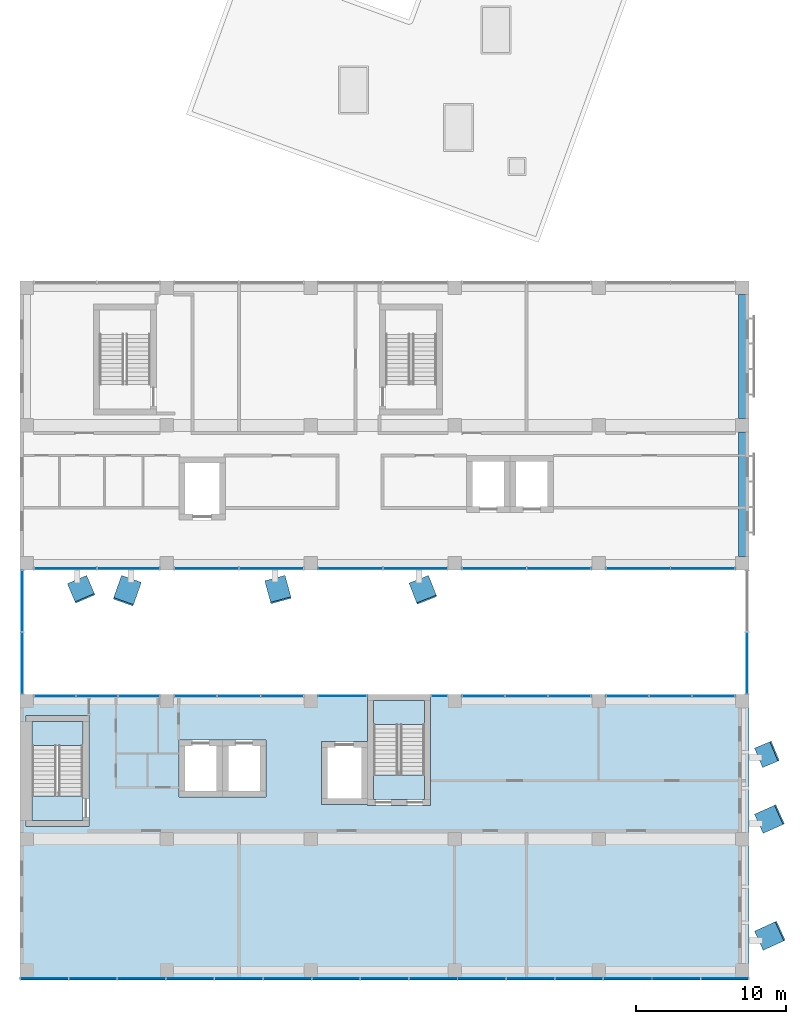
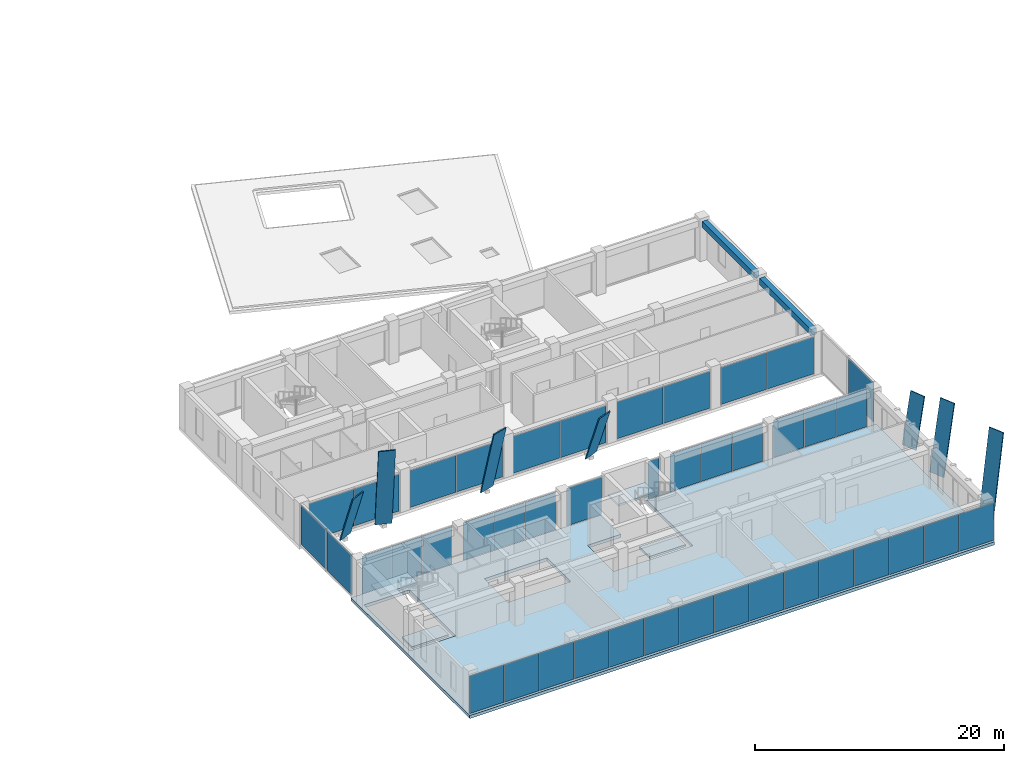
# One storey, part 25 of 36: 49 plates, 5 slabs, 2 beams, 16 elements without a shape of their own.
"""IFC4 building model written with IfcOpenShell, lengths in metres."""

from ifc_helpers import new_model, si_unit, direction, frame, origin, origin_2d, place, context, subcontext, project, spatial, polyline, rectangle, outline, extrude, material, layer, layer_set, material_profile, profile_set, type_object, element, aggregate, save


model = new_model("IFC4")

# Units and contexts
model_context = context("Model", 3, precision=1e-05, world=origin(), true_north=direction((0.0, 1.0)))
body_context = subcontext(model_context, "Body", "Model", "MODEL_VIEW")
ifc_project = project(units=[si_unit("LENGTHUNIT", "METRE"), si_unit("AREAUNIT", "SQUARE_METRE"), si_unit("VOLUMEUNIT", "CUBIC_METRE"), si_unit("PLANEANGLEUNIT", "RADIAN"), si_unit("MASSUNIT", "GRAM", prefix="KILO")], contexts=[model_context])

# Site, building, storey
site_placement = place(None, origin())
site = spatial("IfcSite", under=ifc_project, at=site_placement, CompositionType="ELEMENT")
building_placement = place(site_placement, origin())
building = spatial("IfcBuilding", under=site, at=building_placement, Name="Nzadi Deep Aquarium and Research Tower", CompositionType="ELEMENT")
storey_placement = place(building_placement, frame((0.0, 0.0, 40.300048828125)))
storey = spatial("IfcBuildingStorey", under=building, at=storey_placement, Name="L07", CompositionType="ELEMENT", Elevation=40.300048828125)

# Beams
ifc_material_1 = material(Name="Concrete C35/45", Category="concrete")
ifc_material_profile_1 = material_profile(ifc_material_1, rectangle(XDim=0.5, YDim=0.60009765625, at=origin_2d()))
ifc_profile_set_1 = profile_set([ifc_material_profile_1], Name="Concrete C35/45")
beam_type = type_object("IfcBeamType", Name="RC 500x600", PredefinedType="BEAM", material=ifc_profile_set_1)
for number, where, z_axis, x_axis, name in (
    (1, (48.0, 28.050048828125, 3.599853515625), (0.0, 1.0, 0.0), (-1.0, 0.0, 0.0), "B-Z1-L07-CF-1-4"),
    (2, (48.0, 37.25, 3.599853515625), (0.0, 1.0, 0.0), (-1.0, 0.0, 0.0), "B-Z1-L07-CF-2-4"),
):
    element("IfcBeam", number, at=place(storey_placement, frame(where, z_axis=z_axis, x_axis=x_axis)), inside=storey, type_object=beam_type, Name=name, PredefinedType="BEAM", context=body_context, shape_type="SweptSolid", body=[
        extrude(rectangle(XDim=0.5, YDim=0.60009765625, at=origin_2d()), origin(), (0.0, 0.0, 1.0), 8.300048828125),
    ])

# Plates
ifc_material_2 = material(Name="Anodised aluminium, bright", Category="aluminium")
ifc_material_profile_2 = material_profile(ifc_material_2, rectangle(XDim=1.39990234375, YDim=0.10009765625, at=origin_2d()))
ifc_profile_set_2 = profile_set([ifc_material_profile_2], Name="Anodised aluminium, bright")
plate_type_1 = type_object("IfcPlateType", Name="Fold blade anodised aluminium 1400x100, 4.8 m", PredefinedType="SHEET", material=ifc_profile_set_2)
for number, where, z_axis, x_axis, name in (
    (3, (49.118896484375, 14.639892578125, 0.011474609375), (0.213973087834, 0.089057969289, 0.972771399553), (-0.384256963897, 0.92322618339, 0.0), "FD005 fold blade EA L07"),
    (4, (3.6201171875, 26.47412109375, 0.013671875), (0.107879029523, -0.251768597896, 0.961756043965), (0.919173841786, 0.393852064329, 0.0), "FD032 fold blade SB L07"),
    (5, (26.419921875, 26.493408203125, 0.0146484375), (0.108386174733, -0.275110661254, 0.955283497812), (0.930397727306, 0.366551591216, 0.0), "FD035 fold blade SB L07"),
):
    element("IfcPlate", number, at=place(storey_placement, frame(where, z_axis=z_axis, x_axis=x_axis)), inside=storey, type_object=plate_type_1, Name=name, PredefinedType="SHEET", context=body_context, shape_type="SweptSolid", body=[
        extrude(rectangle(XDim=1.39990234375, YDim=0.10009765625, at=origin_2d()), origin(), (0.0, 0.0, 1.0), 4.800048828125),
    ])
ifc_material_3 = material(Name="Anodised aluminium, bright", Category="aluminium")
ifc_material_profile_3 = material_profile(ifc_material_3, rectangle(XDim=1.39990234375, YDim=0.10009765625, at=origin_2d()))
ifc_profile_set_3 = profile_set([ifc_material_profile_3], Name="Anodised aluminium, bright")
plate_type_2 = type_object("IfcPlateType", Name="Fold blade anodised aluminium 1400x100, 6.6 m", PredefinedType="SHEET", material=ifc_profile_set_3)
for number, where, z_axis, x_axis, name in (
    (6, (49.1357421875, 10.239990234375, 0.010986328125), (0.202263839737, 0.090478667154, 0.975142528006), (-0.408336775399, 0.912831352363, 0.0), "FD004 fold blade EA L07"),
    (7, (16.820068359375, 26.56640625, 0.01123046875), (0.058963377167, -0.217062168894, 0.974375356312), (0.965028989505, 0.262143184947, 0.0), "FD034 fold blade SB L07"),
):
    element("IfcPlate", number, at=place(storey_placement, frame(where, z_axis=z_axis, x_axis=x_axis)), inside=storey, type_object=plate_type_2, Name=name, PredefinedType="SHEET", context=body_context, shape_type="SweptSolid", body=[
        extrude(rectangle(XDim=1.39990234375, YDim=0.10009765625, at=origin_2d()), origin(), (0.0, 0.0, 1.0), 6.60009765625),
    ])
ifc_material_4 = material(Name="Anodised aluminium, bright", Category="aluminium")
ifc_material_profile_4 = material_profile(ifc_material_4, rectangle(XDim=1.39990234375, YDim=0.10009765625, at=origin_2d()))
ifc_profile_set_4 = profile_set([ifc_material_profile_4], Name="Anodised aluminium, bright")
plate_type_3 = type_object("IfcPlateType", Name="Fold blade anodised aluminium 1400x100, 8.4 m", PredefinedType="SHEET", material=ifc_profile_set_4)
for number, where, z_axis, x_axis, name in (
    (8, (49.13916015625, 2.43994140625, 0.009033203125), (0.164388880965, 0.074579538288, 0.983572157131), (-0.413147775252, 0.910663997204, 0.0), "FD003 fold blade EA L07"),
    (9, (7.219970703125, 26.516357421875, 0.00927734375), (-0.062546558954, -0.176624274519, 0.982289058075), (0.942640444883, -0.333809813623, 0.0), "FD033 fold blade SB L07"),
):
    element("IfcPlate", number, at=place(storey_placement, frame(where, z_axis=z_axis, x_axis=x_axis)), inside=storey, type_object=plate_type_3, Name=name, PredefinedType="SHEET", context=body_context, shape_type="SweptSolid", body=[
        extrude(rectangle(XDim=1.39990234375, YDim=0.10009765625, at=origin_2d()), origin(), (0.0, 0.0, 1.0), 8.39990234375),
    ])

# Curtain wall, plates
ifc_material_5 = material(Name="Aluminium unitised frame", Category="aluminium")
ifc_layer_1 = layer(ifc_material_5, 0.199951171875)
ifc_layer_set_1 = layer_set([ifc_layer_1], Name="Aluminium unitised frame")
curtain_wall_type_1 = type_object("IfcCurtainWallType", Name="Curtain wall Unitised 200", PredefinedType="NOTDEFINED", material=ifc_layer_set_1)
curtain_wall_1_placement = place(storey_placement, origin())
curtain_wall_1 = element("IfcCurtainWall", 10, at=curtain_wall_1_placement, inside=storey, type_object=curtain_wall_type_1, Name="Unitised curtain wall blade A south L07", PredefinedType="NOTDEFINED")
ifc_material_6 = material(Name="Glass, sage tint", Category="glass")
ifc_layer_2 = layer(ifc_material_6, 0.035888671875)
ifc_layer_set_2 = layer_set([ifc_layer_2], Name="Glass, sage tint")
plate_type_4 = type_object("IfcPlateType", Name="Glazing panel 36 Unitised", PredefinedType="CURTAIN_PANEL", material=ifc_layer_set_2)
plate_1_placement = place(storey_placement, frame((1.436767578125, -0.10009765625, 0.1201171875), z_axis=(0.0, 0.0, 1.0), x_axis=(1.0, 0.0, 0.0)))
plate_1 = element("IfcPlate", 11, at=plate_1_placement, type_object=plate_type_4, Name="CW015 panel 1.1", PredefinedType="CURTAIN_PANEL", context=body_context, shape_type="SweptSolid", body=[
    extrude(rectangle(XDim=3.1533203125, YDim=0.035888671875, at=origin_2d()), origin(), (0.0, 0.0, 1.0), 3.659912109375),
])
plate_2_placement = place(storey_placement, frame((4.6650390625, -0.10009765625, 0.1201171875), z_axis=(0.0, 0.0, 1.0), x_axis=(1.0, 0.0, 0.0)))
plate_2 = element("IfcPlate", 12, at=plate_2_placement, type_object=plate_type_4, Name="CW015 panel 2.1", PredefinedType="CURTAIN_PANEL", context=body_context, shape_type="SweptSolid", body=[
    extrude(rectangle(XDim=3.183349609375, YDim=0.035888671875, at=origin_2d()), origin(), (0.0, 0.0, 1.0), 3.659912109375),
])
plate_3_placement = place(storey_placement, frame((7.908447265625, -0.10009765625, 0.1201171875), z_axis=(0.0, 0.0, 1.0), x_axis=(1.0, 0.0, 0.0)))
plate_3 = element("IfcPlate", 13, at=plate_3_placement, type_object=plate_type_4, Name="CW015 panel 3.1", PredefinedType="CURTAIN_PANEL", context=body_context, shape_type="SweptSolid", body=[
    extrude(rectangle(XDim=3.183349609375, YDim=0.035888671875, at=origin_2d()), origin(), (0.0, 0.0, 1.0), 3.659912109375),
])
plate_4_placement = place(storey_placement, frame((11.151611328125, -0.10009765625, 0.1201171875), z_axis=(0.0, 0.0, 1.0), x_axis=(1.0, 0.0, 0.0)))
plate_4 = element("IfcPlate", 14, at=plate_4_placement, type_object=plate_type_4, Name="CW015 panel 4.1", PredefinedType="CURTAIN_PANEL", context=body_context, shape_type="SweptSolid", body=[
    extrude(rectangle(XDim=3.183349609375, YDim=0.035888671875, at=origin_2d()), origin(), (0.0, 0.0, 1.0), 3.659912109375),
])
plate_5_placement = place(storey_placement, frame((14.39501953125, -0.10009765625, 0.1201171875), z_axis=(0.0, 0.0, 1.0), x_axis=(1.0, 0.0, 0.0)))
plate_5 = element("IfcPlate", 15, at=plate_5_placement, type_object=plate_type_4, Name="CW015 panel 5.1", PredefinedType="CURTAIN_PANEL", context=body_context, shape_type="SweptSolid", body=[
    extrude(rectangle(XDim=3.183349609375, YDim=0.035888671875, at=origin_2d()), origin(), (0.0, 0.0, 1.0), 3.659912109375),
])
plate_6_placement = place(storey_placement, frame((17.638427734375, -0.10009765625, 0.1201171875), z_axis=(0.0, 0.0, 1.0), x_axis=(1.0, 0.0, 0.0)))
plate_6 = element("IfcPlate", 16, at=plate_6_placement, type_object=plate_type_4, Name="CW015 panel 6.1", PredefinedType="CURTAIN_PANEL", context=body_context, shape_type="SweptSolid", body=[
    extrude(rectangle(XDim=3.183349609375, YDim=0.035888671875, at=origin_2d()), origin(), (0.0, 0.0, 1.0), 3.659912109375),
])
plate_7_placement = place(storey_placement, frame((20.881591796875, -0.10009765625, 0.1201171875), z_axis=(0.0, 0.0, 1.0), x_axis=(1.0, 0.0, 0.0)))
plate_7 = element("IfcPlate", 17, at=plate_7_placement, type_object=plate_type_4, Name="CW015 panel 7.1", PredefinedType="CURTAIN_PANEL", context=body_context, shape_type="SweptSolid", body=[
    extrude(rectangle(XDim=3.183349609375, YDim=0.035888671875, at=origin_2d()), origin(), (0.0, 0.0, 1.0), 3.659912109375),
])
plate_8_placement = place(storey_placement, frame((24.125, -0.10009765625, 0.1201171875), z_axis=(0.0, 0.0, 1.0), x_axis=(1.0, 0.0, 0.0)))
plate_8 = element("IfcPlate", 18, at=plate_8_placement, type_object=plate_type_4, Name="CW015 panel 8.1", PredefinedType="CURTAIN_PANEL", context=body_context, shape_type="SweptSolid", body=[
    extrude(rectangle(XDim=3.183349609375, YDim=0.035888671875, at=origin_2d()), origin(), (0.0, 0.0, 1.0), 3.659912109375),
])
plate_9_placement = place(storey_placement, frame((27.368408203125, -0.10009765625, 0.1201171875), z_axis=(0.0, 0.0, 1.0), x_axis=(1.0, 0.0, 0.0)))
plate_9 = element("IfcPlate", 19, at=plate_9_placement, type_object=plate_type_4, Name="CW015 panel 9.1", PredefinedType="CURTAIN_PANEL", context=body_context, shape_type="SweptSolid", body=[
    extrude(rectangle(XDim=3.183349609375, YDim=0.035888671875, at=origin_2d()), origin(), (0.0, 0.0, 1.0), 3.659912109375),
])
plate_10_placement = place(storey_placement, frame((30.611572265625, -0.10009765625, 0.1201171875), z_axis=(0.0, 0.0, 1.0), x_axis=(1.0, 0.0, 0.0)))
plate_10 = element("IfcPlate", 20, at=plate_10_placement, type_object=plate_type_4, Name="CW015 panel 10.1", PredefinedType="CURTAIN_PANEL", context=body_context, shape_type="SweptSolid", body=[
    extrude(rectangle(XDim=3.183349609375, YDim=0.035888671875, at=origin_2d()), origin(), (0.0, 0.0, 1.0), 3.659912109375),
])
plate_11_placement = place(storey_placement, frame((33.85498046875, -0.10009765625, 0.1201171875), z_axis=(0.0, 0.0, 1.0), x_axis=(1.0, 0.0, 0.0)))
plate_11 = element("IfcPlate", 21, at=plate_11_placement, type_object=plate_type_4, Name="CW015 panel 11.1", PredefinedType="CURTAIN_PANEL", context=body_context, shape_type="SweptSolid", body=[
    extrude(rectangle(XDim=3.183349609375, YDim=0.035888671875, at=origin_2d()), origin(), (0.0, 0.0, 1.0), 3.659912109375),
])
plate_12_placement = place(storey_placement, frame((37.098388671875, -0.10009765625, 0.1201171875), z_axis=(0.0, 0.0, 1.0), x_axis=(1.0, 0.0, 0.0)))
plate_12 = element("IfcPlate", 22, at=plate_12_placement, type_object=plate_type_4, Name="CW015 panel 12.1", PredefinedType="CURTAIN_PANEL", context=body_context, shape_type="SweptSolid", body=[
    extrude(rectangle(XDim=3.183349609375, YDim=0.035888671875, at=origin_2d()), origin(), (0.0, 0.0, 1.0), 3.659912109375),
])
plate_13_placement = place(storey_placement, frame((40.341552734375, -0.10009765625, 0.1201171875), z_axis=(0.0, 0.0, 1.0), x_axis=(1.0, 0.0, 0.0)))
plate_13 = element("IfcPlate", 23, at=plate_13_placement, type_object=plate_type_4, Name="CW015 panel 13.1", PredefinedType="CURTAIN_PANEL", context=body_context, shape_type="SweptSolid", body=[
    extrude(rectangle(XDim=3.183349609375, YDim=0.035888671875, at=origin_2d()), origin(), (0.0, 0.0, 1.0), 3.659912109375),
])
plate_14_placement = place(storey_placement, frame((43.5849609375, -0.10009765625, 0.1201171875), z_axis=(0.0, 0.0, 1.0), x_axis=(1.0, 0.0, 0.0)))
plate_14 = element("IfcPlate", 24, at=plate_14_placement, type_object=plate_type_4, Name="CW015 panel 14.1", PredefinedType="CURTAIN_PANEL", context=body_context, shape_type="SweptSolid", body=[
    extrude(rectangle(XDim=3.183349609375, YDim=0.035888671875, at=origin_2d()), origin(), (0.0, 0.0, 1.0), 3.659912109375),
])
plate_15_placement = place(storey_placement, frame((46.813232421875, -0.10009765625, 0.1201171875), z_axis=(0.0, 0.0, 1.0), x_axis=(1.0, 0.0, 0.0)))
plate_15 = element("IfcPlate", 25, at=plate_15_placement, type_object=plate_type_4, Name="CW015 panel 15.1", PredefinedType="CURTAIN_PANEL", context=body_context, shape_type="SweptSolid", body=[
    extrude(rectangle(XDim=3.1533203125, YDim=0.035888671875, at=origin_2d()), origin(), (0.0, 0.0, 1.0), 3.659912109375),
])
aggregate(curtain_wall_1, [plate_1, plate_2, plate_3, plate_4, plate_5, plate_6, plate_7, plate_8, plate_9, plate_10, plate_11, plate_12, plate_13, plate_14, plate_15])

curtain_wall_2_placement = place(storey_placement, origin())
curtain_wall_2 = element("IfcCurtainWall", 26, at=curtain_wall_2_placement, inside=storey, type_object=curtain_wall_type_1, Name="Unitised curtain wall blade A north L07", PredefinedType="NOTDEFINED")
plate_16_placement = place(storey_placement, frame((2.123291015625, 18.75, 0.1201171875), z_axis=(0.0, 0.0, 1.0), x_axis=(1.0, 0.0, 0.0)))
plate_16 = element("IfcPlate", 27, at=plate_16_placement, type_object=plate_type_4, Name="CW016 panel 1.1", PredefinedType="CURTAIN_PANEL", context=body_context, shape_type="SweptSolid", body=[
    extrude(rectangle(XDim=2.7265625, YDim=0.035888671875, at=origin_2d()), origin(), (0.0, 0.0, 1.0), 3.659912109375),
])
plate_17_placement = place(storey_placement, frame((4.925048828125, 18.75, 0.1201171875), z_axis=(0.0, 0.0, 1.0), x_axis=(1.0, 0.0, 0.0)))
plate_17 = element("IfcPlate", 28, at=plate_17_placement, type_object=plate_type_4, Name="CW016 panel 2.1", PredefinedType="CURTAIN_PANEL", context=body_context, shape_type="SweptSolid", body=[
    extrude(rectangle(XDim=2.756591796875, YDim=0.035888671875, at=origin_2d()), origin(), (0.0, 0.0, 1.0), 3.659912109375),
])
plate_18_placement = place(storey_placement, frame((7.7265625, 18.75, 0.1201171875), z_axis=(0.0, 0.0, 1.0), x_axis=(1.0, 0.0, 0.0)))
plate_18 = element("IfcPlate", 29, at=plate_18_placement, type_object=plate_type_4, Name="CW016 panel 3.1", PredefinedType="CURTAIN_PANEL", context=body_context, shape_type="SweptSolid", body=[
    extrude(rectangle(XDim=2.7265625, YDim=0.035888671875, at=origin_2d()), origin(), (0.0, 0.0, 1.0), 3.659912109375),
])
aggregate(curtain_wall_2, [plate_16, plate_17, plate_18])

curtain_wall_3_placement = place(storey_placement, origin())
curtain_wall_3 = element("IfcCurtainWall", 30, at=curtain_wall_3_placement, inside=storey, type_object=curtain_wall_type_1, Name="Unitised curtain wall blade A north L07", PredefinedType="NOTDEFINED")
plate_19_placement = place(storey_placement, frame((11.514892578125, 18.75, 0.1201171875), z_axis=(0.0, 0.0, 1.0), x_axis=(1.0, 0.0, 0.0)))
plate_19 = element("IfcPlate", 31, at=plate_19_placement, type_object=plate_type_4, Name="CW017 panel 1.1", PredefinedType="CURTAIN_PANEL", context=body_context, shape_type="SweptSolid", body=[
    extrude(rectangle(XDim=2.81005859375, YDim=0.035888671875, at=origin_2d()), origin(), (0.0, 0.0, 1.0), 3.659912109375),
])
plate_20_placement = place(storey_placement, frame((14.39990234375, 18.75, 0.1201171875), z_axis=(0.0, 0.0, 1.0), x_axis=(1.0, 0.0, 0.0)))
plate_20 = element("IfcPlate", 32, at=plate_20_placement, type_object=plate_type_4, Name="CW017 panel 2.1", PredefinedType="CURTAIN_PANEL", context=body_context, shape_type="SweptSolid", body=[
    extrude(rectangle(XDim=2.840087890625, YDim=0.035888671875, at=origin_2d()), origin(), (0.0, 0.0, 1.0), 3.659912109375),
])
plate_21_placement = place(storey_placement, frame((17.284912109375, 18.75, 0.1201171875), z_axis=(0.0, 0.0, 1.0), x_axis=(1.0, 0.0, 0.0)))
plate_21 = element("IfcPlate", 33, at=plate_21_placement, type_object=plate_type_4, Name="CW017 panel 3.1", PredefinedType="CURTAIN_PANEL", context=body_context, shape_type="SweptSolid", body=[
    extrude(rectangle(XDim=2.81005859375, YDim=0.035888671875, at=origin_2d()), origin(), (0.0, 0.0, 1.0), 3.659912109375),
])
aggregate(curtain_wall_3, [plate_19, plate_20, plate_21])

# Curtain wall, plate
curtain_wall_4_placement = place(storey_placement, origin())
curtain_wall_4 = element("IfcCurtainWall", 34, at=curtain_wall_4_placement, inside=storey, type_object=curtain_wall_type_1, Name="Unitised curtain wall blade A north L07", PredefinedType="NOTDEFINED")
plate_22_placement = place(storey_placement, frame((21.324951171875, 18.75, 0.1201171875), z_axis=(0.0, 0.0, 1.0), x_axis=(1.0, 0.0, 0.0)))
plate_22 = element("IfcPlate", 35, at=plate_22_placement, type_object=plate_type_4, Name="CW018 panel 1.1", PredefinedType="CURTAIN_PANEL", context=body_context, shape_type="SweptSolid", body=[
    extrude(rectangle(XDim=3.22998046875, YDim=0.035888671875, at=origin_2d()), origin(), (0.0, 0.0, 1.0), 3.659912109375),
])
aggregate(curtain_wall_4, [plate_22])

curtain_wall_5_placement = place(storey_placement, origin())
curtain_wall_5 = element("IfcCurtainWall", 36, at=curtain_wall_5_placement, inside=storey, type_object=curtain_wall_type_1, Name="Unitised curtain wall blade A north L07", PredefinedType="NOTDEFINED")
plate_23_placement = place(storey_placement, frame((27.77490234375, 18.75, 0.1201171875), z_axis=(0.0, 0.0, 1.0), x_axis=(1.0, 0.0, 0.0)))
plate_23 = element("IfcPlate", 37, at=plate_23_placement, type_object=plate_type_4, Name="CW019 panel 1.1", PredefinedType="CURTAIN_PANEL", context=body_context, shape_type="SweptSolid", body=[
    extrude(rectangle(XDim=1.030029296875, YDim=0.035888671875, at=origin_2d()), origin(), (0.0, 0.0, 1.0), 3.659912109375),
])
aggregate(curtain_wall_5, [plate_23])

# Curtain wall, plates
curtain_wall_6_placement = place(storey_placement, origin())
curtain_wall_6 = element("IfcCurtainWall", 38, at=curtain_wall_6_placement, inside=storey, type_object=curtain_wall_type_1, Name="Unitised curtain wall blade A north L07", PredefinedType="NOTDEFINED")
plate_24_placement = place(storey_placement, frame((30.715087890625, 18.75, 0.1201171875), z_axis=(0.0, 0.0, 1.0), x_axis=(1.0, 0.0, 0.0)))
plate_24 = element("IfcPlate", 39, at=plate_24_placement, type_object=plate_type_4, Name="CW020 panel 1.1", PredefinedType="CURTAIN_PANEL", context=body_context, shape_type="SweptSolid", body=[
    extrude(rectangle(XDim=2.81005859375, YDim=0.035888671875, at=origin_2d()), origin(), (0.0, 0.0, 1.0), 3.659912109375),
])
plate_25_placement = place(storey_placement, frame((33.60009765625, 18.75, 0.1201171875), z_axis=(0.0, 0.0, 1.0), x_axis=(1.0, 0.0, 0.0)))
plate_25 = element("IfcPlate", 40, at=plate_25_placement, type_object=plate_type_4, Name="CW020 panel 2.1", PredefinedType="CURTAIN_PANEL", context=body_context, shape_type="SweptSolid", body=[
    extrude(rectangle(XDim=2.840087890625, YDim=0.035888671875, at=origin_2d()), origin(), (0.0, 0.0, 1.0), 3.659912109375),
])
plate_26_placement = place(storey_placement, frame((36.485107421875, 18.75, 0.1201171875), z_axis=(0.0, 0.0, 1.0), x_axis=(1.0, 0.0, 0.0)))
plate_26 = element("IfcPlate", 41, at=plate_26_placement, type_object=plate_type_4, Name="CW020 panel 3.1", PredefinedType="CURTAIN_PANEL", context=body_context, shape_type="SweptSolid", body=[
    extrude(rectangle(XDim=2.81005859375, YDim=0.035888671875, at=origin_2d()), origin(), (0.0, 0.0, 1.0), 3.659912109375),
])
aggregate(curtain_wall_6, [plate_24, plate_25, plate_26])

curtain_wall_7_placement = place(storey_placement, origin())
curtain_wall_7 = element("IfcCurtainWall", 42, at=curtain_wall_7_placement, inside=storey, type_object=curtain_wall_type_1, Name="Unitised curtain wall blade A north L07", PredefinedType="NOTDEFINED")
plate_27_placement = place(storey_placement, frame((40.31494140625, 18.75, 0.1201171875), z_axis=(0.0, 0.0, 1.0), x_axis=(1.0, 0.0, 0.0)))
plate_27 = element("IfcPlate", 43, at=plate_27_placement, type_object=plate_type_4, Name="CW021 panel 1.1", PredefinedType="CURTAIN_PANEL", context=body_context, shape_type="SweptSolid", body=[
    extrude(rectangle(XDim=2.81005859375, YDim=0.035888671875, at=origin_2d()), origin(), (0.0, 0.0, 1.0), 3.659912109375),
])
plate_28_placement = place(storey_placement, frame((43.199951171875, 18.75, 0.1201171875), z_axis=(0.0, 0.0, 1.0), x_axis=(1.0, 0.0, 0.0)))
plate_28 = element("IfcPlate", 44, at=plate_28_placement, type_object=plate_type_4, Name="CW021 panel 2.1", PredefinedType="CURTAIN_PANEL", context=body_context, shape_type="SweptSolid", body=[
    extrude(rectangle(XDim=2.840087890625, YDim=0.035888671875, at=origin_2d()), origin(), (0.0, 0.0, 1.0), 3.659912109375),
])
plate_29_placement = place(storey_placement, frame((46.0849609375, 18.75, 0.1201171875), z_axis=(0.0, 0.0, 1.0), x_axis=(1.0, 0.0, 0.0)))
plate_29 = element("IfcPlate", 45, at=plate_29_placement, type_object=plate_type_4, Name="CW021 panel 3.1", PredefinedType="CURTAIN_PANEL", context=body_context, shape_type="SweptSolid", body=[
    extrude(rectangle(XDim=2.81005859375, YDim=0.035888671875, at=origin_2d()), origin(), (0.0, 0.0, 1.0), 3.659912109375),
])
aggregate(curtain_wall_7, [plate_27, plate_28, plate_29])

ifc_material_7 = material(Name="Aluminium unitised frame deep", Category="aluminium")
ifc_layer_3 = layer(ifc_material_7, 0.22509765625)
ifc_layer_set_3 = layer_set([ifc_layer_3], Name="Aluminium unitised frame deep")
curtain_wall_type_2 = type_object("IfcCurtainWallType", Name="Curtain wall Unitised Deep 225", PredefinedType="NOTDEFINED", material=ifc_layer_set_3)
curtain_wall_8_placement = place(storey_placement, origin())
curtain_wall_8 = element("IfcCurtainWall", 46, at=curtain_wall_8_placement, inside=storey, type_object=curtain_wall_type_2, Name="Unitised curtain wall blade B south L07", PredefinedType="NOTDEFINED")
ifc_material_8 = material(Name="Glass, sage tint", Category="glass")
ifc_layer_4 = layer(ifc_material_8, 0.0400390625)
ifc_layer_set_4 = layer_set([ifc_layer_4], Name="Glass, sage tint")
plate_type_5 = type_object("IfcPlateType", Name="Glazing panel 40 Unitised Deep", PredefinedType="CURTAIN_PANEL", material=ifc_layer_set_4)
plate_30_placement = place(storey_placement, frame((2.827392578125, 27.262451171875, 0.139892578125), z_axis=(0.0, 0.0, 1.0), x_axis=(1.0, 0.0, 0.0)))
plate_30 = element("IfcPlate", 47, at=plate_30_placement, type_object=plate_type_5, Name="CW098 panel 1.1", PredefinedType="CURTAIN_PANEL", context=body_context, shape_type="SweptSolid", body=[
    extrude(rectangle(XDim=4.135009765625, YDim=0.0400390625, at=origin_2d()), origin(), (0.0, 0.0, 1.0), 3.6201171875),
])
plate_31_placement = place(storey_placement, frame((7.0224609375, 27.262451171875, 0.139892578125), z_axis=(0.0, 0.0, 1.0), x_axis=(1.0, 0.0, 0.0)))
plate_31 = element("IfcPlate", 48, at=plate_31_placement, type_object=plate_type_5, Name="CW098 panel 2.1", PredefinedType="CURTAIN_PANEL", context=body_context, shape_type="SweptSolid", body=[
    extrude(rectangle(XDim=4.135009765625, YDim=0.0400390625, at=origin_2d()), origin(), (0.0, 0.0, 1.0), 3.6201171875),
])
aggregate(curtain_wall_8, [plate_30, plate_31])

curtain_wall_9_placement = place(storey_placement, origin())
curtain_wall_9 = element("IfcCurtainWall", 49, at=curtain_wall_9_placement, inside=storey, type_object=curtain_wall_type_2, Name="Unitised curtain wall blade B south L07", PredefinedType="NOTDEFINED")
plate_32_placement = place(storey_placement, frame((12.239990234375, 27.262451171875, 0.139892578125), z_axis=(0.0, 0.0, 1.0), x_axis=(1.0, 0.0, 0.0)))
plate_32 = element("IfcPlate", 50, at=plate_32_placement, type_object=plate_type_5, Name="CW099 panel 1.1", PredefinedType="CURTAIN_PANEL", context=body_context, shape_type="SweptSolid", body=[
    extrude(rectangle(XDim=4.260009765625, YDim=0.0400390625, at=origin_2d()), origin(), (0.0, 0.0, 1.0), 3.6201171875),
])
plate_33_placement = place(storey_placement, frame((16.56005859375, 27.262451171875, 0.139892578125), z_axis=(0.0, 0.0, 1.0), x_axis=(1.0, 0.0, 0.0)))
plate_33 = element("IfcPlate", 51, at=plate_33_placement, type_object=plate_type_5, Name="CW099 panel 2.1", PredefinedType="CURTAIN_PANEL", context=body_context, shape_type="SweptSolid", body=[
    extrude(rectangle(XDim=4.260009765625, YDim=0.0400390625, at=origin_2d()), origin(), (0.0, 0.0, 1.0), 3.6201171875),
])
aggregate(curtain_wall_9, [plate_32, plate_33])

curtain_wall_10_placement = place(storey_placement, origin())
curtain_wall_10 = element("IfcCurtainWall", 52, at=curtain_wall_10_placement, inside=storey, type_object=curtain_wall_type_2, Name="Unitised curtain wall blade B south L07", PredefinedType="NOTDEFINED")
plate_34_placement = place(storey_placement, frame((21.840087890625, 27.262451171875, 0.139892578125), z_axis=(0.0, 0.0, 1.0), x_axis=(1.0, 0.0, 0.0)))
plate_34 = element("IfcPlate", 53, at=plate_34_placement, type_object=plate_type_5, Name="CW100 panel 1.1", PredefinedType="CURTAIN_PANEL", context=body_context, shape_type="SweptSolid", body=[
    extrude(rectangle(XDim=4.260009765625, YDim=0.0400390625, at=origin_2d()), origin(), (0.0, 0.0, 1.0), 3.6201171875),
])
plate_35_placement = place(storey_placement, frame((26.159912109375, 27.262451171875, 0.139892578125), z_axis=(0.0, 0.0, 1.0), x_axis=(1.0, 0.0, 0.0)))
plate_35 = element("IfcPlate", 54, at=plate_35_placement, type_object=plate_type_5, Name="CW100 panel 2.1", PredefinedType="CURTAIN_PANEL", context=body_context, shape_type="SweptSolid", body=[
    extrude(rectangle(XDim=4.260009765625, YDim=0.0400390625, at=origin_2d()), origin(), (0.0, 0.0, 1.0), 3.6201171875),
])
aggregate(curtain_wall_10, [plate_34, plate_35])

curtain_wall_11_placement = place(storey_placement, origin())
curtain_wall_11 = element("IfcCurtainWall", 55, at=curtain_wall_11_placement, inside=storey, type_object=curtain_wall_type_2, Name="Unitised curtain wall blade B south L07", PredefinedType="NOTDEFINED")
plate_36_placement = place(storey_placement, frame((31.43994140625, 27.262451171875, 0.139892578125), z_axis=(0.0, 0.0, 1.0), x_axis=(1.0, 0.0, 0.0)))
plate_36 = element("IfcPlate", 56, at=plate_36_placement, type_object=plate_type_5, Name="CW101 panel 1.1", PredefinedType="CURTAIN_PANEL", context=body_context, shape_type="SweptSolid", body=[
    extrude(rectangle(XDim=4.260009765625, YDim=0.0400390625, at=origin_2d()), origin(), (0.0, 0.0, 1.0), 3.6201171875),
])
plate_37_placement = place(storey_placement, frame((35.760009765625, 27.262451171875, 0.139892578125), z_axis=(0.0, 0.0, 1.0), x_axis=(1.0, 0.0, 0.0)))
plate_37 = element("IfcPlate", 57, at=plate_37_placement, type_object=plate_type_5, Name="CW101 panel 2.1", PredefinedType="CURTAIN_PANEL", context=body_context, shape_type="SweptSolid", body=[
    extrude(rectangle(XDim=4.260009765625, YDim=0.0400390625, at=origin_2d()), origin(), (0.0, 0.0, 1.0), 3.6201171875),
])
aggregate(curtain_wall_11, [plate_36, plate_37])

curtain_wall_12_placement = place(storey_placement, origin())
curtain_wall_12 = element("IfcCurtainWall", 58, at=curtain_wall_12_placement, inside=storey, type_object=curtain_wall_type_2, Name="Unitised curtain wall blade B south L07", PredefinedType="NOTDEFINED")
plate_38_placement = place(storey_placement, frame((41.0400390625, 27.262451171875, 0.139892578125), z_axis=(0.0, 0.0, 1.0), x_axis=(1.0, 0.0, 0.0)))
plate_38 = element("IfcPlate", 59, at=plate_38_placement, type_object=plate_type_5, Name="CW102 panel 1.1", PredefinedType="CURTAIN_PANEL", context=body_context, shape_type="SweptSolid", body=[
    extrude(rectangle(XDim=4.260009765625, YDim=0.0400390625, at=origin_2d()), origin(), (0.0, 0.0, 1.0), 3.6201171875),
])
plate_39_placement = place(storey_placement, frame((45.360107421875, 27.262451171875, 0.139892578125), z_axis=(0.0, 0.0, 1.0), x_axis=(1.0, 0.0, 0.0)))
plate_39 = element("IfcPlate", 60, at=plate_39_placement, type_object=plate_type_5, Name="CW102 panel 2.1", PredefinedType="CURTAIN_PANEL", context=body_context, shape_type="SweptSolid", body=[
    extrude(rectangle(XDim=4.260009765625, YDim=0.0400390625, at=origin_2d()), origin(), (0.0, 0.0, 1.0), 3.6201171875),
])
aggregate(curtain_wall_12, [plate_38, plate_39])

ifc_material_9 = material(Name="Aluminium unitised frame wind post", Category="aluminium")
ifc_layer_5 = layer(ifc_material_9, 0.300048828125)
ifc_layer_set_5 = layer_set([ifc_layer_5], Name="Aluminium unitised frame wind post")
curtain_wall_type_3 = type_object("IfcCurtainWallType", Name="Curtain wall Slot End 300", PredefinedType="NOTDEFINED", material=ifc_layer_set_5)
curtain_wall_13_placement = place(storey_placement, origin())
curtain_wall_13 = element("IfcCurtainWall", 61, at=curtain_wall_13_placement, inside=storey, type_object=curtain_wall_type_3, Name="Glazed slot end west L07", PredefinedType="NOTDEFINED")
ifc_material_10 = material(Name="Glass, sage tint", Category="glass")
ifc_layer_6 = layer(ifc_material_10, 0.0439453125)
ifc_layer_set_6 = layer_set([ifc_layer_6], Name="Glass, sage tint")
plate_type_6 = type_object("IfcPlateType", Name="Glazing panel 44 Slot End", PredefinedType="CURTAIN_PANEL", material=ifc_layer_set_6)
plate_40_placement = place(storey_placement, frame((-0.050048828125, 20.93994140625, 0.159912109375), z_axis=(0.0, 0.0, 1.0), x_axis=(0.0, 1.0, 0.0)))
plate_40 = element("IfcPlate", 62, at=plate_40_placement, type_object=plate_type_6, Name="CW205 panel 1.1", PredefinedType="CURTAIN_PANEL", context=body_context, shape_type="SweptSolid", body=[
    extrude(rectangle(XDim=4.06005859375, YDim=0.0439453125, at=origin_2d()), origin(), (0.0, 0.0, 1.0), 3.8798828125),
])
plate_41_placement = place(storey_placement, frame((-0.050048828125, 25.06005859375, 0.159912109375), z_axis=(0.0, 0.0, 1.0), x_axis=(0.0, 1.0, 0.0)))
plate_41 = element("IfcPlate", 63, at=plate_41_placement, type_object=plate_type_6, Name="CW205 panel 2.1", PredefinedType="CURTAIN_PANEL", context=body_context, shape_type="SweptSolid", body=[
    extrude(rectangle(XDim=4.06005859375, YDim=0.0439453125, at=origin_2d()), origin(), (0.0, 0.0, 1.0), 3.8798828125),
])
aggregate(curtain_wall_13, [plate_40, plate_41])

# Curtain wall, plate
curtain_wall_14_placement = place(storey_placement, origin())
curtain_wall_14 = element("IfcCurtainWall", 64, at=curtain_wall_14_placement, inside=storey, type_object=curtain_wall_type_3, Name="Glazed slot end east L07", PredefinedType="NOTDEFINED")
plate_42_placement = place(storey_placement, frame((48.300048828125, 20.93994140625, 0.159912109375), z_axis=(0.0, 0.0, 1.0), x_axis=(0.0, 1.0, 0.0)))
plate_42 = element("IfcPlate", 65, at=plate_42_placement, type_object=plate_type_6, Name="CW206 panel 1.1", PredefinedType="CURTAIN_PANEL", context=body_context, shape_type="SweptSolid", body=[
    extrude(rectangle(XDim=4.06005859375, YDim=0.0439453125, at=origin_2d()), origin(), (0.0, 0.0, 1.0), 3.8798828125),
])
aggregate(curtain_wall_14, [plate_42])

# Stair, slabs
ifc_material_11 = material(Name="Concrete C35/45", Category="concrete")
stair_type = type_object("IfcStairType", Name="STAIR RETURN 3000", PredefinedType="NOTDEFINED", material=ifc_material_11)
stair_1_placement = place(storey_placement, origin())
stair_1 = element("IfcStair", 66, at=stair_1_placement, inside=storey, type_object=stair_type, Name="Stair ST-Z1-SW L07", PredefinedType="HALF_TURN_STAIR")
ifc_material_12 = material(Name="Concrete C35/45", Category="concrete")
ifc_layer_7 = layer(ifc_material_12, 0.199951171875)
ifc_layer_set_7 = layer_set([ifc_layer_7], Name="Concrete C35/45")
slab_type_1 = type_object("IfcSlabType", Name="LANDING 200", PredefinedType="LANDING", material=ifc_layer_set_7)
slab_1_placement = place(storey_placement, frame((0.0, 0.0, -0.199951171875)))
slab_1 = element("IfcSlab", 67, at=slab_1_placement, type_object=slab_type_1, Name="ST-Z1-SW landing 1", PredefinedType="LANDING", context=body_context, shape_type="SweptSolid", body=[
    extrude(outline(polyline([(0.60009765625, 10.449951171875), (4.0, 10.449951171875), (4.0, 12.070068359375), (0.60009765625, 12.070068359375), (0.60009765625, 10.449951171875)])), origin(), (0.0, 0.0, 1.0), 0.199951171875),
])
slab_2_placement = place(storey_placement, frame((0.0, 0.0, 1.89990234375)))
slab_2 = element("IfcSlab", 68, at=slab_2_placement, type_object=slab_type_1, Name="ST-Z1-SW landing 2", PredefinedType="LANDING", context=body_context, shape_type="SweptSolid", body=[
    extrude(outline(polyline([(0.60009765625, 15.429931640625), (4.0, 15.429931640625), (4.0, 17.050048828125), (0.60009765625, 17.050048828125), (0.60009765625, 15.429931640625)])), origin(), (0.0, 0.0, 1.0), 0.199951171875),
])
aggregate(stair_1, [slab_1, slab_2])

stair_2_placement = place(storey_placement, origin())
stair_2 = element("IfcStair", 69, at=stair_2_placement, inside=storey, type_object=stair_type, Name="Stair ST-Z1-SE L07", PredefinedType="HALF_TURN_STAIR")
slab_3_placement = place(storey_placement, frame((0.0, 0.0, -0.199951171875)))
slab_3 = element("IfcSlab", 70, at=slab_3_placement, type_object=slab_type_1, Name="ST-Z1-SE landing 1", PredefinedType="LANDING", context=body_context, shape_type="SweptSolid", body=[
    extrude(outline(polyline([(23.39990234375, 11.85009765625), (26.800048828125, 11.85009765625), (26.800048828125, 13.469970703125), (23.39990234375, 13.469970703125), (23.39990234375, 11.85009765625)])), origin(), (0.0, 0.0, 1.0), 0.199951171875),
])
slab_4_placement = place(storey_placement, frame((0.0, 0.0, 1.89990234375)))
slab_4 = element("IfcSlab", 71, at=slab_4_placement, type_object=slab_type_1, Name="ST-Z1-SE landing 2", PredefinedType="LANDING", context=body_context, shape_type="SweptSolid", body=[
    extrude(outline(polyline([(23.39990234375, 16.830078125), (26.800048828125, 16.830078125), (26.800048828125, 18.449951171875), (23.39990234375, 18.449951171875), (23.39990234375, 16.830078125)])), origin(), (0.0, 0.0, 1.0), 0.199951171875),
])
aggregate(stair_2, [slab_3, slab_4])

# Slab
ifc_material_13 = material(Name="Concrete C35/45", Category="concrete")
ifc_layer_8 = layer(ifc_material_13, 0.300048828125)
ifc_layer_set_8 = layer_set([ifc_layer_8], Name="Concrete C35/45")
slab_type_2 = type_object("IfcSlabType", Name="RC floor slab 300", PredefinedType="FLOOR", material=ifc_layer_set_8)
slab_5_placement = place(storey_placement, frame((0.0, 0.0, -0.300048828125)))
element("IfcSlab", 72, at=slab_5_placement, inside=storey, type_object=slab_type_2, Name="Tower floor A L07", PredefinedType="FLOOR", context=body_context, shape_type="SweptSolid", body=[
    extrude(outline(polyline([(27.199951171875, 11.449951171875), (23.0, 11.449951171875), (23.0, 11.5), (19.89990234375, 11.5), (19.89990234375, 15.699951171875), (23.0, 15.699951171875), (23.0, 18.85009765625), (-0.199462890625, 18.85009765625), (-0.199462890625, -0.199951171875), (48.449951171875, -0.199951171875), (48.449951171875, 18.85009765625), (27.199951171875, 18.85009765625), (27.199951171875, 11.449951171875)]), holes=[polyline([(4.39990234375, 17.449951171875), (4.39990234375, 10.050048828125), (0.199951171875, 10.050048828125), (0.199951171875, 17.449951171875), (4.39990234375, 17.449951171875)]), polyline([(10.39990234375, 12.0), (10.39990234375, 15.800048828125), (13.300048828125, 15.800048828125), (16.199951171875, 15.800048828125), (16.199951171875, 12.0), (13.300048828125, 12.0), (10.39990234375, 12.0)])]), origin(), (0.0, 0.0, 1.0), 0.300048828125),
])

save(model, "model.ifc")
